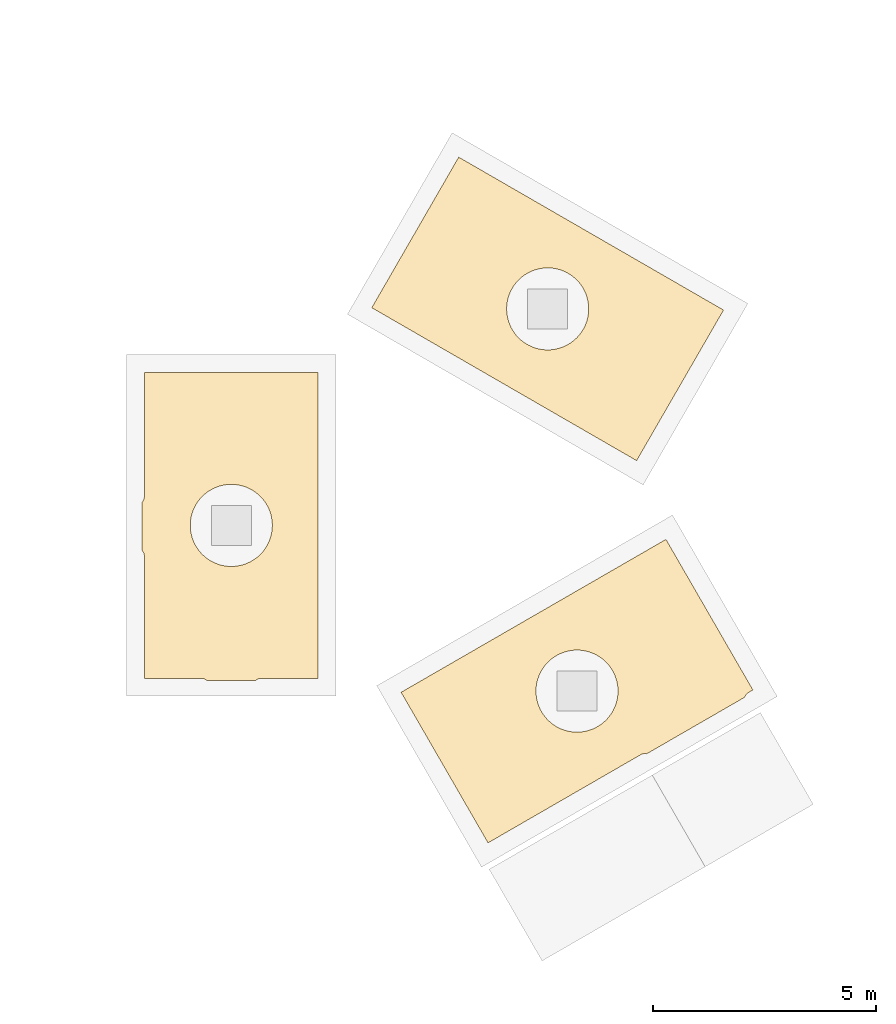
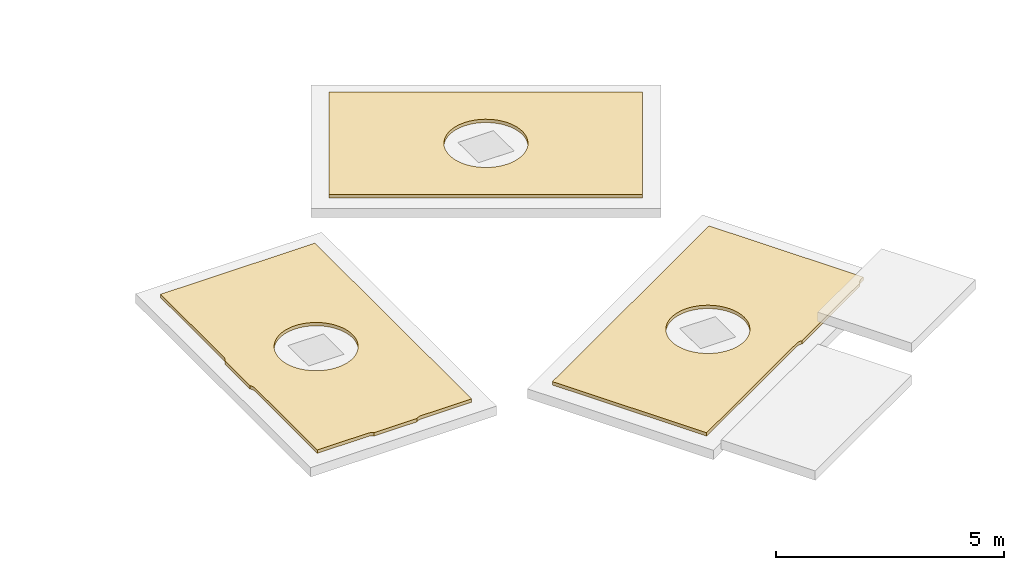
# One storey, part 2 of 2: 3 coverings.
"""IFC4 building model written with IfcOpenShell, lengths in metres."""

from ifc_helpers import new_model, si_unit, direction, frame, origin, place, context, subcontext, project, spatial, polyline, outline, extrude, material, layer, layer_set, type_object, element, save


model = new_model("IFC4")

# Units and contexts
model_context = context("Model", 3, precision=1e-05, world=origin(), true_north=direction((0.0, 1.0)))
body_context = subcontext(model_context, "Body", "Model", "MODEL_VIEW")
ifc_project = project(units=[si_unit("LENGTHUNIT", "METRE"), si_unit("AREAUNIT", "SQUARE_METRE"), si_unit("VOLUMEUNIT", "CUBIC_METRE"), si_unit("PLANEANGLEUNIT", "RADIAN"), si_unit("MASSUNIT", "GRAM", prefix="KILO")], contexts=[model_context])

# Site, building, storey
site_placement = place(None, origin())
site = spatial("IfcSite", under=ifc_project, at=site_placement, CompositionType="ELEMENT")
building_placement = place(site_placement, origin())
building = spatial("IfcBuilding", under=site, at=building_placement, Name="Vanh Sen Convention Tower", CompositionType="ELEMENT")
storey_placement = place(building_placement, frame((0.0, 0.0, 308.60009765625)))
storey = spatial("IfcBuildingStorey", under=building, at=storey_placement, Name="Upper roof", CompositionType="ELEMENT", Elevation=308.60009765625)

# Coverings
ifc_material = material(Name="Bituminous roof membrane on rigid insulation")
ifc_layer = layer(ifc_material, 0.090087890625)
ifc_layer_set = layer_set([ifc_layer], Name="Bituminous roof membrane on rigid insulation")
covering_type = type_object("IfcCoveringType", Name="Roof membrane and insulation 90", PredefinedType="ROOFING", material=ifc_layer_set)
covering_1_placement = place(storey_placement, origin())
element("IfcCovering", 1, at=covering_1_placement, inside=storey, type_object=covering_type, Name="Roof covering RC1", PredefinedType="ROOFING", context=body_context, shape_type="SweptSolid", body=[
    extrude(outline(polyline([(4.141357421875, 1.072998046875), (6.09130859375, 4.45068359375), (0.150390625, 7.880615234375), (-1.799560546875, 4.503173828125), (4.141357421875, 1.072998046875)]), holes=[polyline([(3.023193359375, 4.200439453125), (3.029052734375, 4.21923828125), (3.046142578125, 4.28759765625), (3.050048828125, 4.306884765625), (3.060302734375, 4.376953125), (3.062255859375, 4.396484375), (3.06591796875, 4.467041015625), (3.06591796875, 4.486572265625), (3.062255859375, 4.55712890625), (3.060302734375, 4.57666015625), (3.050048828125, 4.646484375), (3.046142578125, 4.666015625), (3.029052734375, 4.734375), (3.023193359375, 4.753173828125), (2.99951171875, 4.819580078125), (2.991943359375, 4.837890625), (2.9619140625, 4.901611328125), (2.952392578125, 4.9189453125), (2.916259765625, 4.9794921875), (2.9052734375, 4.99609375), (2.86328125, 5.052734375), (2.850830078125, 5.06787109375), (2.80322265625, 5.1201171875), (2.789306640625, 5.134033203125), (2.737060546875, 5.181640625), (2.721923828125, 5.194091796875), (2.665283203125, 5.236083984375), (2.648681640625, 5.2470703125), (2.588134765625, 5.283203125), (2.57080078125, 5.29248046875), (2.507080078125, 5.32275390625), (2.489013671875, 5.330322265625), (2.42236328125, 5.35400390625), (2.403564453125, 5.35986328125), (2.335205078125, 5.376953125), (2.31591796875, 5.380859375), (2.245849609375, 5.39111328125), (2.226318359375, 5.39306640625), (2.15576171875, 5.396484375), (2.13623046875, 5.396484375), (2.065673828125, 5.39306640625), (2.046142578125, 5.39111328125), (1.976318359375, 5.380859375), (1.956787109375, 5.376953125), (1.888427734375, 5.35986328125), (1.86962890625, 5.35400390625), (1.802978515625, 5.330322265625), (1.784912109375, 5.32275390625), (1.72119140625, 5.29248046875), (1.703857421875, 5.283203125), (1.643310546875, 5.2470703125), (1.626708984375, 5.236083984375), (1.570068359375, 5.194091796875), (1.554931640625, 5.181640625), (1.502685546875, 5.134033203125), (1.48876953125, 5.1201171875), (1.441162109375, 5.06787109375), (1.4287109375, 5.052734375), (1.38671875, 4.99609375), (1.375732421875, 4.9794921875), (1.339599609375, 4.9189453125), (1.330078125, 4.901611328125), (1.300048828125, 4.837890625), (1.29248046875, 4.819580078125), (1.268798828125, 4.753173828125), (1.262939453125, 4.734375), (1.245849609375, 4.666015625), (1.241943359375, 4.646484375), (1.231689453125, 4.57666015625), (1.229736328125, 4.55712890625), (1.226318359375, 4.486572265625), (1.226318359375, 4.467041015625), (1.229736328125, 4.396484375), (1.231689453125, 4.376953125), (1.241943359375, 4.306884765625), (1.245849609375, 4.28759765625), (1.262939453125, 4.21923828125), (1.268798828125, 4.200439453125), (1.29248046875, 4.1337890625), (1.300048828125, 4.11572265625), (1.330078125, 4.052001953125), (1.339599609375, 4.03466796875), (1.375732421875, 3.97412109375), (1.38671875, 3.95751953125), (1.4287109375, 3.90087890625), (1.441162109375, 3.8857421875), (1.48876953125, 3.83349609375), (1.502685546875, 3.819580078125), (1.554931640625, 3.77197265625), (1.570068359375, 3.759521484375), (1.626708984375, 3.717529296875), (1.643310546875, 3.70654296875), (1.703857421875, 3.67041015625), (1.72119140625, 3.660888671875), (1.784912109375, 3.630859375), (1.802978515625, 3.623291015625), (1.86962890625, 3.599609375), (1.888427734375, 3.59375), (1.956787109375, 3.57666015625), (1.976318359375, 3.57275390625), (2.046142578125, 3.5625), (2.065673828125, 3.560546875), (2.13623046875, 3.556884765625), (2.15576171875, 3.556884765625), (2.226318359375, 3.560546875), (2.245849609375, 3.5625), (2.31591796875, 3.57275390625), (2.335205078125, 3.57666015625), (2.403564453125, 3.59375), (2.42236328125, 3.599609375), (2.489013671875, 3.623291015625), (2.507080078125, 3.630859375), (2.57080078125, 3.660888671875), (2.588134765625, 3.67041015625), (2.648681640625, 3.70654296875), (2.665283203125, 3.717529296875), (2.721923828125, 3.759521484375), (2.737060546875, 3.77197265625), (2.789306640625, 3.819580078125), (2.80322265625, 3.83349609375), (2.850830078125, 3.8857421875), (2.86328125, 3.90087890625), (2.9052734375, 3.95751953125), (2.916259765625, 3.97412109375), (2.952392578125, 4.03466796875), (2.9619140625, 4.052001953125), (2.991943359375, 4.11572265625), (2.99951171875, 4.1337890625), (3.023193359375, 4.200439453125)])]), origin(), (0.0, 0.0, 1.0), 0.08984375),
])
covering_2_placement = place(storey_placement, origin())
element("IfcCovering", 2, at=covering_2_placement, inside=storey, type_object=covering_type, Name="Roof covering RC1", PredefinedType="ROOFING", context=body_context, shape_type="SweptSolid", body=[
    extrude(outline(polyline([(-4.406982421875, -3.860107421875), (-4.40185546875, -3.85546875), (-4.385986328125, -3.84375), (-4.369384765625, -3.83349609375), (-4.3515625, -3.8251953125), (-4.3330078125, -3.818603515625), (-4.31396484375, -3.813720703125), (-4.294677734375, -3.81103515625), (-4.27490234375, -3.81005859375), (-4.074951171875, -3.81005859375), (-4.074951171875, -3.81005859375), (-3.0, -3.81005859375), (-3.0, 3.050048828125), (-6.89990234375, 3.050048828125), (-6.89990234375, 0.47509765625), (-6.89990234375, 0.47509765625), (-6.89990234375, 0.27490234375), (-6.90087890625, 0.25537109375), (-6.90380859375, 0.236083984375), (-6.90869140625, 0.216796875), (-6.915283203125, 0.198486328125), (-6.923583984375, 0.1806640625), (-6.93359375, 0.163818359375), (-6.9453125, 0.148193359375), (-6.949951171875, 0.14306640625), (-6.949951171875, -0.943115234375), (-6.9453125, -0.947998046875), (-6.93359375, -0.9638671875), (-6.923583984375, -0.980712890625), (-6.915283203125, -0.99853515625), (-6.90869140625, -1.016845703125), (-6.90380859375, -1.035888671875), (-6.90087890625, -1.055419921875), (-6.89990234375, -1.074951171875), (-6.89990234375, -1.27490234375), (-6.89990234375, -1.27490234375), (-6.89990234375, -3.81005859375), (-5.824951171875, -3.81005859375), (-5.824951171875, -3.81005859375), (-5.625, -3.81005859375), (-5.60546875, -3.81103515625), (-5.5859375, -3.813720703125), (-5.56689453125, -3.818603515625), (-5.548583984375, -3.8251953125), (-5.53076171875, -3.83349609375), (-5.513916015625, -3.84375), (-5.498046875, -3.85546875), (-5.492919921875, -3.860107421875), (-4.406982421875, -3.860107421875)]), holes=[polyline([(-4.06689453125, -0.6376953125), (-4.0498046875, -0.569091796875), (-4.0458984375, -0.5498046875), (-4.03564453125, -0.47998046875), (-4.03369140625, -0.46044921875), (-4.0302734375, -0.389892578125), (-4.0302734375, -0.3701171875), (-4.03369140625, -0.299560546875), (-4.03564453125, -0.280029296875), (-4.0458984375, -0.210205078125), (-4.0498046875, -0.19091796875), (-4.06689453125, -0.122314453125), (-4.07275390625, -0.103515625), (-4.096435546875, -0.037109375), (-4.10400390625, -0.01904296875), (-4.13427734375, 0.044921875), (-4.1435546875, 0.062255859375), (-4.1796875, 0.122802734375), (-4.190673828125, 0.13916015625), (-4.23291015625, 0.19580078125), (-4.2451171875, 0.211181640625), (-4.292724609375, 0.263427734375), (-4.306640625, 0.27734375), (-4.35888671875, 0.32470703125), (-4.3740234375, 0.337158203125), (-4.430908203125, 0.37939453125), (-4.447265625, 0.39013671875), (-4.5078125, 0.426513671875), (-4.525146484375, 0.435791015625), (-4.589111328125, 0.466064453125), (-4.607177734375, 0.473388671875), (-4.673583984375, 0.497314453125), (-4.6923828125, 0.5029296875), (-4.760986328125, 0.520263671875), (-4.7802734375, 0.52392578125), (-4.85009765625, 0.534423828125), (-4.86962890625, 0.536376953125), (-4.940185546875, 0.539794921875), (-4.959716796875, 0.539794921875), (-5.030517578125, 0.536376953125), (-5.0498046875, 0.534423828125), (-5.119873046875, 0.52392578125), (-5.13916015625, 0.520263671875), (-5.20751953125, 0.5029296875), (-5.226318359375, 0.497314453125), (-5.29296875, 0.473388671875), (-5.31103515625, 0.466064453125), (-5.375, 0.435791015625), (-5.39208984375, 0.426513671875), (-5.452880859375, 0.39013671875), (-5.46923828125, 0.37939453125), (-5.52587890625, 0.337158203125), (-5.541015625, 0.32470703125), (-5.593505859375, 0.27734375), (-5.607421875, 0.263427734375), (-5.65478515625, 0.211181640625), (-5.667236328125, 0.19580078125), (-5.709228515625, 0.13916015625), (-5.72021484375, 0.122802734375), (-5.756591796875, 0.062255859375), (-5.765869140625, 0.044921875), (-5.7958984375, -0.01904296875), (-5.803466796875, -0.037109375), (-5.827392578125, -0.103515625), (-5.8330078125, -0.122314453125), (-5.85009765625, -0.19091796875), (-5.85400390625, -0.210205078125), (-5.864501953125, -0.280029296875), (-5.8662109375, -0.299560546875), (-5.869873046875, -0.3701171875), (-5.869873046875, -0.389892578125), (-5.8662109375, -0.46044921875), (-5.864501953125, -0.47998046875), (-5.85400390625, -0.5498046875), (-5.85009765625, -0.569091796875), (-5.8330078125, -0.6376953125), (-5.827392578125, -0.656494140625), (-5.803466796875, -0.722900390625), (-5.7958984375, -0.740966796875), (-5.765869140625, -0.804931640625), (-5.756591796875, -0.822265625), (-5.72021484375, -0.8828125), (-5.709228515625, -0.899169921875), (-5.667236328125, -0.955810546875), (-5.65478515625, -0.97119140625), (-5.607421875, -1.0234375), (-5.593505859375, -1.037353515625), (-5.541015625, -1.084716796875), (-5.52587890625, -1.09716796875), (-5.46923828125, -1.139404296875), (-5.452880859375, -1.150146484375), (-5.39208984375, -1.1865234375), (-5.375, -1.19580078125), (-5.31103515625, -1.22607421875), (-5.29296875, -1.2333984375), (-5.226318359375, -1.25732421875), (-5.20751953125, -1.262939453125), (-5.13916015625, -1.2802734375), (-5.119873046875, -1.283935546875), (-5.0498046875, -1.29443359375), (-5.030517578125, -1.29638671875), (-4.959716796875, -1.2998046875), (-4.940185546875, -1.2998046875), (-4.86962890625, -1.29638671875), (-4.85009765625, -1.29443359375), (-4.7802734375, -1.283935546875), (-4.760986328125, -1.2802734375), (-4.6923828125, -1.262939453125), (-4.673583984375, -1.25732421875), (-4.607177734375, -1.2333984375), (-4.589111328125, -1.22607421875), (-4.525146484375, -1.19580078125), (-4.5078125, -1.1865234375), (-4.447265625, -1.150146484375), (-4.430908203125, -1.139404296875), (-4.3740234375, -1.09716796875), (-4.35888671875, -1.084716796875), (-4.306640625, -1.037353515625), (-4.292724609375, -1.0234375), (-4.2451171875, -0.97119140625), (-4.23291015625, -0.955810546875), (-4.190673828125, -0.899169921875), (-4.1796875, -0.8828125), (-4.1435546875, -0.822265625), (-4.13427734375, -0.804931640625), (-4.10400390625, -0.740966796875), (-4.096435546875, -0.722900390625), (-4.07275390625, -0.656494140625), (-4.06689453125, -0.6376953125)])]), origin(), (0.0, 0.0, 1.0), 0.08984375),
])
covering_3_placement = place(storey_placement, origin())
element("IfcCovering", 3, at=covering_3_placement, inside=storey, type_object=covering_type, Name="Roof covering RC1", PredefinedType="ROOFING", context=body_context, shape_type="SweptSolid", body=[
    extrude(outline(polyline([(6.56494140625, -4.23486328125), (6.567138671875, -4.228271484375), (6.574951171875, -4.210205078125), (6.58447265625, -4.193115234375), (6.595703125, -4.177001953125), (6.6083984375, -4.162109375), (6.622314453125, -4.1484375), (6.6376953125, -4.13623046875), (6.654296875, -4.12548828125), (6.74951171875, -4.070556640625), (4.799560546875, -0.693115234375), (-1.141357421875, -4.123046875), (0.80859375, -7.50048828125), (4.2294921875, -5.525634765625), (4.246826171875, -5.5166015625), (4.26513671875, -5.509521484375), (4.283935546875, -5.50390625), (4.30322265625, -5.50048828125), (4.322998046875, -5.498779296875), (4.342529296875, -5.499267578125), (4.362060546875, -5.50146484375), (4.36865234375, -5.5029296875), (6.56494140625, -4.23486328125)]), holes=[polyline([(3.68701171875, -4.3544921875), (3.7041015625, -4.285888671875), (3.7080078125, -4.2666015625), (3.718505859375, -4.19677734375), (3.72021484375, -4.17724609375), (3.723876953125, -4.106689453125), (3.723876953125, -4.0869140625), (3.72021484375, -4.016357421875), (3.718505859375, -3.996826171875), (3.7080078125, -3.927001953125), (3.7041015625, -3.90771484375), (3.68701171875, -3.839111328125), (3.681396484375, -3.8203125), (3.657470703125, -3.75390625), (3.64990234375, -3.73583984375), (3.619873046875, -3.671875), (3.610595703125, -3.654541015625), (3.57421875, -3.593994140625), (3.563232421875, -3.57763671875), (3.521240234375, -3.52099609375), (3.5087890625, -3.505615234375), (3.461181640625, -3.453369140625), (3.447509765625, -3.439453125), (3.39501953125, -3.39208984375), (3.3798828125, -3.379638671875), (3.3232421875, -3.33740234375), (3.306884765625, -3.32666015625), (3.24609375, -3.290283203125), (3.22900390625, -3.281005859375), (3.1650390625, -3.250732421875), (3.14697265625, -3.243408203125), (3.080322265625, -3.219482421875), (3.0615234375, -3.2138671875), (2.9931640625, -3.196533203125), (2.973876953125, -3.19287109375), (2.90380859375, -3.182373046875), (2.884521484375, -3.180419921875), (2.813720703125, -3.177001953125), (2.794189453125, -3.177001953125), (2.7236328125, -3.180419921875), (2.7041015625, -3.182373046875), (2.63427734375, -3.19287109375), (2.614990234375, -3.196533203125), (2.54638671875, -3.2138671875), (2.527587890625, -3.219482421875), (2.461181640625, -3.243408203125), (2.443115234375, -3.250732421875), (2.379150390625, -3.281005859375), (2.36181640625, -3.290283203125), (2.30126953125, -3.32666015625), (2.284912109375, -3.33740234375), (2.22802734375, -3.379638671875), (2.212890625, -3.39208984375), (2.16064453125, -3.439453125), (2.146728515625, -3.453369140625), (2.09912109375, -3.505615234375), (2.0869140625, -3.52099609375), (2.044677734375, -3.57763671875), (2.03369140625, -3.593994140625), (1.99755859375, -3.654541015625), (1.98828125, -3.671875), (1.9580078125, -3.73583984375), (1.950439453125, -3.75390625), (1.9267578125, -3.8203125), (1.9208984375, -3.839111328125), (1.90380859375, -3.90771484375), (1.89990234375, -3.927001953125), (1.8896484375, -3.996826171875), (1.8876953125, -4.016357421875), (1.88427734375, -4.0869140625), (1.88427734375, -4.106689453125), (1.8876953125, -4.17724609375), (1.8896484375, -4.19677734375), (1.89990234375, -4.2666015625), (1.90380859375, -4.285888671875), (1.9208984375, -4.3544921875), (1.9267578125, -4.373291015625), (1.950439453125, -4.439697265625), (1.9580078125, -4.457763671875), (1.98828125, -4.521728515625), (1.99755859375, -4.5390625), (2.03369140625, -4.599609375), (2.044677734375, -4.615966796875), (2.0869140625, -4.672607421875), (2.09912109375, -4.68798828125), (2.146728515625, -4.740234375), (2.16064453125, -4.754150390625), (2.212890625, -4.801513671875), (2.22802734375, -4.81396484375), (2.284912109375, -4.856201171875), (2.30126953125, -4.866943359375), (2.36181640625, -4.9033203125), (2.379150390625, -4.91259765625), (2.443115234375, -4.94287109375), (2.461181640625, -4.9501953125), (2.527587890625, -4.97412109375), (2.54638671875, -4.979736328125), (2.614990234375, -4.9970703125), (2.63427734375, -5.000732421875), (2.7041015625, -5.01123046875), (2.7236328125, -5.01318359375), (2.794189453125, -5.0166015625), (2.813720703125, -5.0166015625), (2.884521484375, -5.01318359375), (2.90380859375, -5.01123046875), (2.973876953125, -5.000732421875), (2.9931640625, -4.9970703125), (3.0615234375, -4.979736328125), (3.080322265625, -4.97412109375), (3.14697265625, -4.9501953125), (3.1650390625, -4.94287109375), (3.22900390625, -4.91259765625), (3.24609375, -4.9033203125), (3.306884765625, -4.866943359375), (3.3232421875, -4.856201171875), (3.3798828125, -4.81396484375), (3.39501953125, -4.801513671875), (3.447509765625, -4.754150390625), (3.461181640625, -4.740234375), (3.5087890625, -4.68798828125), (3.521240234375, -4.672607421875), (3.563232421875, -4.615966796875), (3.57421875, -4.599609375), (3.610595703125, -4.5390625), (3.619873046875, -4.521728515625), (3.64990234375, -4.457763671875), (3.657470703125, -4.439697265625), (3.681396484375, -4.373291015625), (3.68701171875, -4.3544921875)])]), origin(), (0.0, 0.0, 1.0), 0.08984375),
])

save(model, "model.ifc")
